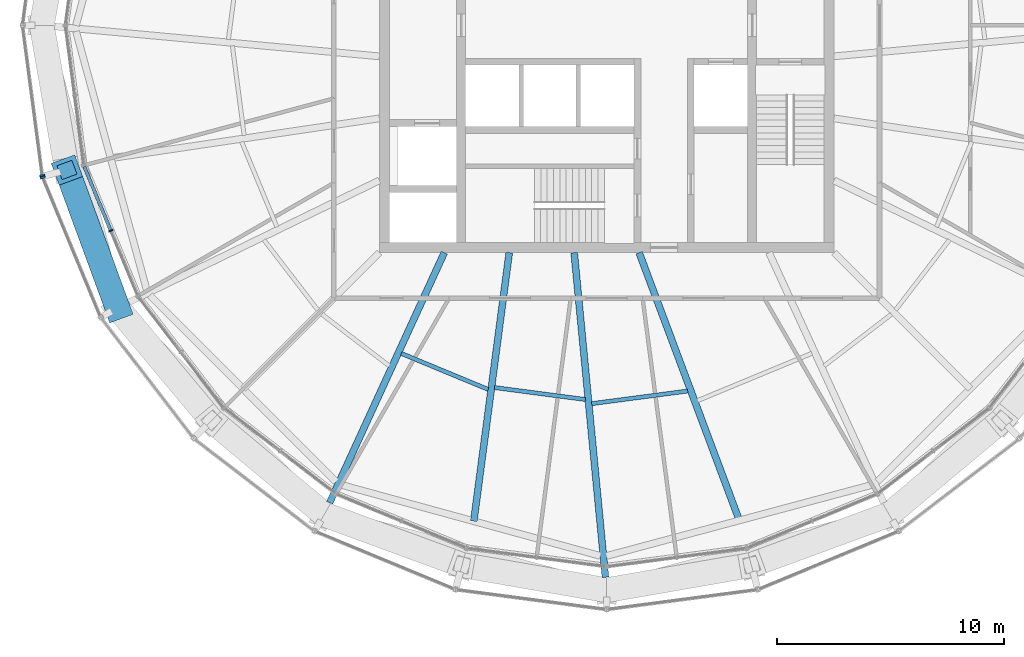
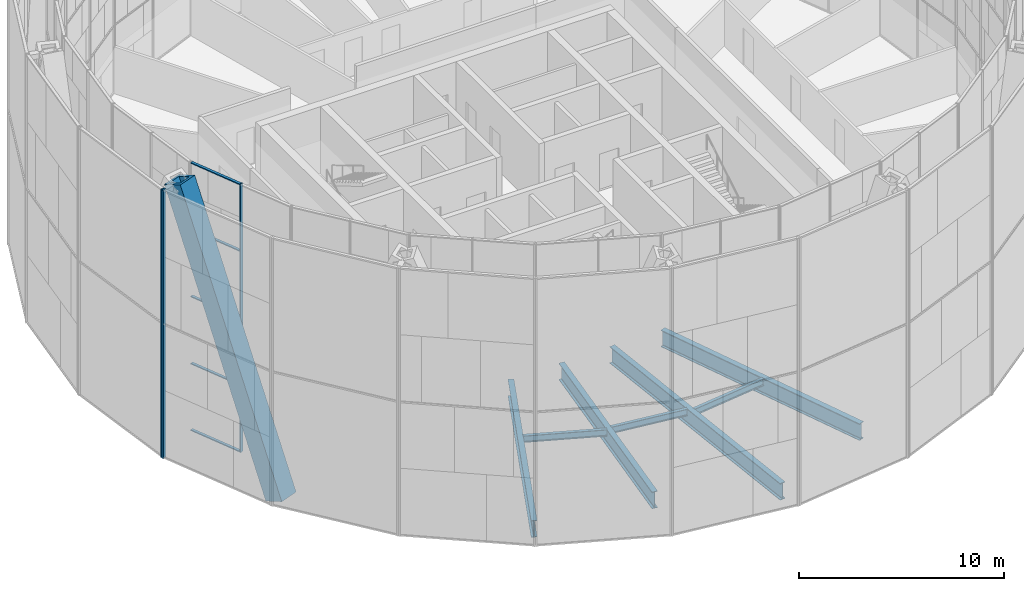
# One storey, part 3 of 28: 9 members, 7 beams, 3 elements without a shape of their own.
"""IFC4 building model written with IfcOpenShell, lengths in metres."""

from ifc_helpers import new_model, si_unit, direction, frame, origin, origin_2d, place, context, subcontext, project, spatial, rectangle, hollow_rectangle, i_section, extrude, material, material_profile, profile_set, type_object, element, aggregate, save


model = new_model("IFC4")

# Units and contexts
model_context = context("Model", 3, precision=1e-05, world=origin(), true_north=direction((0.0, 1.0)))
body_context = subcontext(model_context, "Body", "Model", "MODEL_VIEW")
ifc_project = project(units=[si_unit("LENGTHUNIT", "METRE"), si_unit("AREAUNIT", "SQUARE_METRE"), si_unit("VOLUMEUNIT", "CUBIC_METRE"), si_unit("PLANEANGLEUNIT", "RADIAN"), si_unit("MASSUNIT", "GRAM", prefix="KILO")], contexts=[model_context])

# Site, building, storey
site_placement = place(None, origin())
site = spatial("IfcSite", under=ifc_project, at=site_placement, CompositionType="ELEMENT")
building_placement = place(site_placement, origin())
building = spatial("IfcBuilding", under=site, at=building_placement, Name="Golbaran Civic Tower", CompositionType="ELEMENT")
storey_placement = place(building_placement, frame((0.0, 0.0, 183.0)))
storey = spatial("IfcBuildingStorey", under=building, at=storey_placement, Name="L44", CompositionType="ELEMENT", Elevation=183.0)

# Member
ifc_material_1 = material(Name="Steel S355", Category="steel")
ifc_material_profile_1 = material_profile(ifc_material_1, hollow_rectangle(XDim=1.10009765625, YDim=1.10009765625, WallThickness=0.199951171875, at=origin_2d()), Name="BOX 1100x1100x200")
ifc_profile_set_1 = profile_set([ifc_material_profile_1], Name="Steel S355")
member_type_1 = type_object("IfcMemberType", Name="DIAGRID DIAGONAL BOX 1100x1100x200", PredefinedType="BRACE", material=ifc_profile_set_1)
member_1_placement = place(storey_placement, frame((-21.51806640625, -12.423583984375, -0.7099609375), z_axis=(-0.128807878317, 0.351359818356, 0.927337483621), x_axis=(-0.938897090127, -0.344197986848, 0.0)))
element("IfcMember", 1, at=member_1_placement, inside=storey, type_object=member_type_1, Name="Diagonal D10-07L L44-L48", PredefinedType="BRACE", context=body_context, shape_type="SweptSolid", body=[
    extrude(hollow_rectangle(XDim=1.10009765625, YDim=1.10009765625, WallThickness=0.199951171875, at=origin_2d()), origin(), (0.0, 0.0, 1.0), 17.253662109375),
])

# Beams
ifc_material_profile_2 = material_profile(ifc_material_1, i_section(OverallWidth=0.179931640625, OverallDepth=0.39990234375, WebThickness=0.008544921875, FlangeThickness=0.013427734375, FilletRadius=0.02099609375, at=origin_2d()), Name="IPE 400")
ifc_profile_set_2 = profile_set([ifc_material_profile_2], Name="Steel S355")
beam_type_1 = type_object("IfcBeamType", Name="FLOOR INFILL BEAM IPE 400", PredefinedType="BEAM", material=ifc_profile_set_2)
beam_1_placement = place(storey_placement, frame((-9.032470703125, -14.433837890625, -0.39990234375), z_axis=(0.923872956866, -0.38269930699, 0.0), x_axis=(0.38269930699, 0.923872956866, 0.0)))
element("IfcBeam", 2, at=beam_1_placement, inside=storey, type_object=beam_type_1, Name="Infill beam 247.50 L44", PredefinedType="BEAM", context=body_context, shape_type="SweptSolid", body=[
    extrude(i_section(OverallWidth=0.179931640625, OverallDepth=0.39990234375, WebThickness=0.008544921875, FlangeThickness=0.013427734375, FilletRadius=0.02099609375, at=origin_2d()), origin(), (0.0, 0.0, 1.0), 4.136474609375),
])
beam_2_placement = place(storey_placement, frame((-4.9375, -15.9326171875, -0.39990234375), z_axis=(0.991443787401, -0.130534349596, 0.0), x_axis=(0.130534349596, 0.991443787401, 0.0)))
element("IfcBeam", 3, at=beam_2_placement, inside=storey, type_object=beam_type_1, Name="Infill beam 262.50 L44", PredefinedType="BEAM", context=body_context, shape_type="SweptSolid", body=[
    extrude(i_section(OverallWidth=0.179931640625, OverallDepth=0.39990234375, WebThickness=0.008544921875, FlangeThickness=0.013427734375, FilletRadius=0.02099609375, at=origin_2d()), origin(), (0.0, 0.0, 1.0), 4.0341796875),
])
beam_3_placement = place(storey_placement, frame((-0.658935546875, -16.641357421875, -0.39990234375), z_axis=(0.99144220312, 0.130546382073, 0.0), x_axis=(-0.130546382073, 0.99144220312, 0.0)))
element("IfcBeam", 4, at=beam_3_placement, inside=storey, type_object=beam_type_1, Name="Infill beam 277.50 L44", PredefinedType="BEAM", context=body_context, shape_type="SweptSolid", body=[
    extrude(i_section(OverallWidth=0.179931640625, OverallDepth=0.39990234375, WebThickness=0.008544921875, FlangeThickness=0.013427734375, FilletRadius=0.02099609375, at=origin_2d()), origin(), (0.0, 0.0, 1.0), 4.261962890625),
])

# Curtain wall, members
ifc_material_2 = material(Name="Aluminium and glass", Category="aluminium")
curtain_wall_type_1 = type_object("IfcCurtainWallType", Name="INNER SKIN CURTAIN WALL EXECUTIVE", PredefinedType="NOTDEFINED", material=ifc_material_2)
curtain_wall_1_placement = place(storey_placement, origin())
curtain_wall_1 = element("IfcCurtainWall", 5, at=curtain_wall_1_placement, inside=storey, type_object=curtain_wall_type_1, Name="Inner skin L44 facet 14 CW2", ObjectType="INNER SKIN", PredefinedType="USERDEFINED")
ifc_material_3 = material(Name="Aluminium", Category="aluminium")
ifc_material_profile_3 = material_profile(ifc_material_3, rectangle(XDim=0.199951171875, YDim=0.06005859375, at=origin_2d()), Name="INNER SKIN CURTAIN WALL EXECUTIVE MULLION")
ifc_profile_set_3 = profile_set([ifc_material_profile_3], Name="Aluminium")
member_type_2 = type_object("IfcMemberType", Name="INNER SKIN CURTAIN WALL EXECUTIVE MULLION", PredefinedType="MULLION", material=ifc_profile_set_3)
member_2_placement = place(storey_placement, frame((-21.811279296875, -9.034423828125, 0.0), z_axis=(0.0, 0.0, 1.0), x_axis=(0.923879532491, 0.382683432413, 0.0)))
member_2 = element("IfcMember", 6, at=member_2_placement, type_object=member_type_2, Name="CW2 mullion 2", PredefinedType="MULLION", context=body_context, shape_type="SweptSolid", body=[
    extrude(rectangle(XDim=0.199951171875, YDim=0.06005859375, at=origin_2d()), origin(), (0.0, 0.0, 1.0), 16.0),
])
ifc_material_profile_4 = material_profile(ifc_material_3, rectangle(XDim=0.14990234375, YDim=0.06005859375, at=origin_2d()), Name="INNER SKIN CURTAIN WALL EXECUTIVE TRANSOM")
ifc_profile_set_4 = profile_set([ifc_material_profile_4], Name="Aluminium")
member_type_3 = type_object("IfcMemberType", Name="INNER SKIN CURTAIN WALL EXECUTIVE TRANSOM", PredefinedType="USERDEFINED", material=ifc_profile_set_4)
member_3_placement = place(storey_placement, frame((-22.977783203125, -6.218505859375, 0.030029296875), z_axis=(0.382701860943, -0.923871898929, 0.0), x_axis=(0.923871898929, 0.382701860943, 0.0)))
member_3 = element("IfcMember", 7, at=member_3_placement, type_object=member_type_3, Name="CW2 transom 1.1", ObjectType="TRANSOM", PredefinedType="USERDEFINED", context=body_context, shape_type="SweptSolid", body=[
    extrude(rectangle(XDim=0.14990234375, YDim=0.06005859375, at=origin_2d()), origin(), (0.0, 0.0, 1.0), 3.01806640625),
])
member_4_placement = place(storey_placement, frame((-22.977783203125, -6.218505859375, 4.0), z_axis=(0.382701860943, -0.923871898929, 0.0), x_axis=(0.923871898929, 0.382701860943, 0.0)))
member_4 = element("IfcMember", 8, at=member_4_placement, type_object=member_type_3, Name="CW2 transom 1.2", ObjectType="TRANSOM", PredefinedType="USERDEFINED", context=body_context, shape_type="SweptSolid", body=[
    extrude(rectangle(XDim=0.14990234375, YDim=0.06005859375, at=origin_2d()), origin(), (0.0, 0.0, 1.0), 3.01806640625),
])
member_5_placement = place(storey_placement, frame((-22.977783203125, -6.218505859375, 8.0), z_axis=(0.382701860943, -0.923871898929, 0.0), x_axis=(0.923871898929, 0.382701860943, 0.0)))
member_5 = element("IfcMember", 9, at=member_5_placement, type_object=member_type_3, Name="CW2 transom 1.3", ObjectType="TRANSOM", PredefinedType="USERDEFINED", context=body_context, shape_type="SweptSolid", body=[
    extrude(rectangle(XDim=0.14990234375, YDim=0.06005859375, at=origin_2d()), origin(), (0.0, 0.0, 1.0), 3.01806640625),
])
member_6_placement = place(storey_placement, frame((-22.977783203125, -6.218505859375, 12.0), z_axis=(0.382701860943, -0.923871898929, 0.0), x_axis=(0.923871898929, 0.382701860943, 0.0)))
member_6 = element("IfcMember", 10, at=member_6_placement, type_object=member_type_3, Name="CW2 transom 1.4", ObjectType="TRANSOM", PredefinedType="USERDEFINED", context=body_context, shape_type="SweptSolid", body=[
    extrude(rectangle(XDim=0.14990234375, YDim=0.06005859375, at=origin_2d()), origin(), (0.0, 0.0, 1.0), 3.01806640625),
])
member_7_placement = place(storey_placement, frame((-22.977783203125, -6.218505859375, 15.969970703125), z_axis=(0.382701860943, -0.923871898929, 0.0), x_axis=(0.923871898929, 0.382701860943, 0.0)))
member_7 = element("IfcMember", 11, at=member_7_placement, type_object=member_type_3, Name="CW2 transom 1.5", ObjectType="TRANSOM", PredefinedType="USERDEFINED", context=body_context, shape_type="SweptSolid", body=[
    extrude(rectangle(XDim=0.14990234375, YDim=0.06005859375, at=origin_2d()), origin(), (0.0, 0.0, 1.0), 3.01806640625),
])
aggregate(curtain_wall_1, [member_2, member_3, member_4, member_5, member_6, member_7])

# Curtain wall, member
curtain_wall_type_2 = type_object("IfcCurtainWallType", Name="OUTER SKIN TERRACOTTA SCREEN", PredefinedType="NOTDEFINED", material=ifc_material_2)
curtain_wall_2_placement = place(storey_placement, origin())
curtain_wall_2 = element("IfcCurtainWall", 12, at=curtain_wall_2_placement, inside=storey, type_object=curtain_wall_type_2, Name="Outer skin L44 facet 13 CW3", ObjectType="OUTER SKIN", PredefinedType="USERDEFINED")
ifc_material_profile_5 = material_profile(ifc_material_3, rectangle(XDim=0.219970703125, YDim=0.080078125, at=origin_2d()), Name="OUTER SKIN TERRACOTTA SCREEN MULLION")
ifc_profile_set_5 = profile_set([ifc_material_profile_5], Name="Aluminium")
member_type_4 = type_object("IfcMemberType", Name="OUTER SKIN TERRACOTTA SCREEN MULLION", PredefinedType="MULLION", material=ifc_profile_set_5)
member_8_placement = place(storey_placement, frame((-24.82666015625, -6.611328125, -0.7099609375), z_axis=(0.0, 0.0, 1.0), x_axis=(0.991444861372, 0.130526192237, 0.0)))
member_8 = element("IfcMember", 13, at=member_8_placement, type_object=member_type_4, Name="CW3 mullion 2", PredefinedType="MULLION", context=body_context, shape_type="SweptSolid", body=[
    extrude(rectangle(XDim=0.219970703125, YDim=0.080078125, at=origin_2d()), origin(), (0.0, 0.0, 1.0), 16.0),
])
aggregate(curtain_wall_2, [member_8])

curtain_wall_3_placement = place(storey_placement, origin())
curtain_wall_3 = element("IfcCurtainWall", 14, at=curtain_wall_3_placement, inside=storey, type_object=curtain_wall_type_2, Name="Outer skin L44 facet 14 CW3", ObjectType="OUTER SKIN", PredefinedType="USERDEFINED")
member_9_placement = place(storey_placement, frame((-24.80615234375, -6.687744140625, -0.7099609375), z_axis=(0.0, 0.0, 1.0), x_axis=(0.923879532518, 0.382683432349, 0.0)))
member_9 = element("IfcMember", 15, at=member_9_placement, type_object=member_type_4, Name="CW3 mullion 1", PredefinedType="MULLION", context=body_context, shape_type="SweptSolid", body=[
    extrude(rectangle(XDim=0.219970703125, YDim=0.080078125, at=origin_2d()), origin(), (0.0, 0.0, 1.0), 16.0),
])
aggregate(curtain_wall_3, [member_9])

# Beams
ifc_material_profile_6 = material_profile(ifc_material_1, i_section(OverallWidth=0.300048828125, OverallDepth=1.0, WebThickness=0.01904296875, FlangeThickness=0.035888671875, FilletRadius=0.030029296875, at=origin_2d()), Name="HEB 1000")
ifc_profile_set_6 = profile_set([ifc_material_profile_6], Name="Steel S355")
beam_type_2 = type_object("IfcBeamType", Name="RADIAL FLOOR BEAM HEB 1000", PredefinedType="BEAM", material=ifc_profile_set_6)
beam_4_placement = place(storey_placement, frame((-7.142822265625, -10.0, -0.7099609375), z_axis=(-0.416760302145, -0.909016419299, 0.0), x_axis=(0.909016419299, -0.416760302145, 0.0)))
element("IfcBeam", 16, at=beam_4_placement, inside=storey, type_object=beam_type_2, Name="Radial beam 240.00 L44", PredefinedType="BEAM", context=body_context, shape_type="SweptSolid", body=[
    extrude(i_section(OverallWidth=0.300048828125, OverallDepth=1.0, WebThickness=0.01904296875, FlangeThickness=0.035888671875, FilletRadius=0.030029296875, at=origin_2d()), origin(), (0.0, 0.0, 1.0), 12.10107421875),
])
beam_5_placement = place(storey_placement, frame((-1.428466796875, -10.0, -0.7099609375), z_axis=(0.095765589924, -0.99540391389, 0.0), x_axis=(0.99540391389, 0.095765589924, 0.0)))
element("IfcBeam", 17, at=beam_5_placement, inside=storey, type_object=beam_type_2, Name="Radial beam 270.00 L44", PredefinedType="BEAM", context=body_context, shape_type="SweptSolid", body=[
    extrude(i_section(OverallWidth=0.300048828125, OverallDepth=1.0, WebThickness=0.01904296875, FlangeThickness=0.035888671875, FilletRadius=0.030029296875, at=origin_2d()), origin(), (0.0, 0.0, 1.0), 14.34521484375),
])
ifc_material_profile_7 = material_profile(ifc_material_1, i_section(OverallWidth=0.300048828125, OverallDepth=1.0, WebThickness=0.01904296875, FlangeThickness=0.035888671875, FilletRadius=0.030029296875, at=origin_2d()), Name="HEB 1000")
ifc_profile_set_7 = profile_set([ifc_material_profile_7], Name="Steel S355")
beam_type_3 = type_object("IfcBeamType", Name="SECONDARY FLOOR BEAM HEB 1000", PredefinedType="BEAM", material=ifc_profile_set_7)
beam_6_placement = place(storey_placement, frame((-4.28564453125, -10.0, -0.7099609375), z_axis=(-0.130845657126, -0.991402750658, 0.0), x_axis=(0.991402750658, -0.130845657126, 0.0)))
element("IfcBeam", 18, at=beam_6_placement, inside=storey, type_object=beam_type_3, Name="Secondary beam 255.00 L44", PredefinedType="BEAM", context=body_context, shape_type="SweptSolid", body=[
    extrude(i_section(OverallWidth=0.300048828125, OverallDepth=1.0, WebThickness=0.01904296875, FlangeThickness=0.035888671875, FilletRadius=0.030029296875, at=origin_2d()), origin(), (0.0, 0.0, 1.0), 11.91552734375),
])
beam_7_placement = place(storey_placement, frame((1.428466796875, -10.0, -0.7099609375), z_axis=(0.350455235818, -0.936579482846, 0.0), x_axis=(0.936579482846, 0.350455235818, 0.0)))
element("IfcBeam", 19, at=beam_7_placement, inside=storey, type_object=beam_type_3, Name="Secondary beam 285.00 L44", PredefinedType="BEAM", context=body_context, shape_type="SweptSolid", body=[
    extrude(i_section(OverallWidth=0.300048828125, OverallDepth=1.0, WebThickness=0.01904296875, FlangeThickness=0.035888671875, FilletRadius=0.030029296875, at=origin_2d()), origin(), (0.0, 0.0, 1.0), 12.57421875),
])

save(model, "model.ifc")
